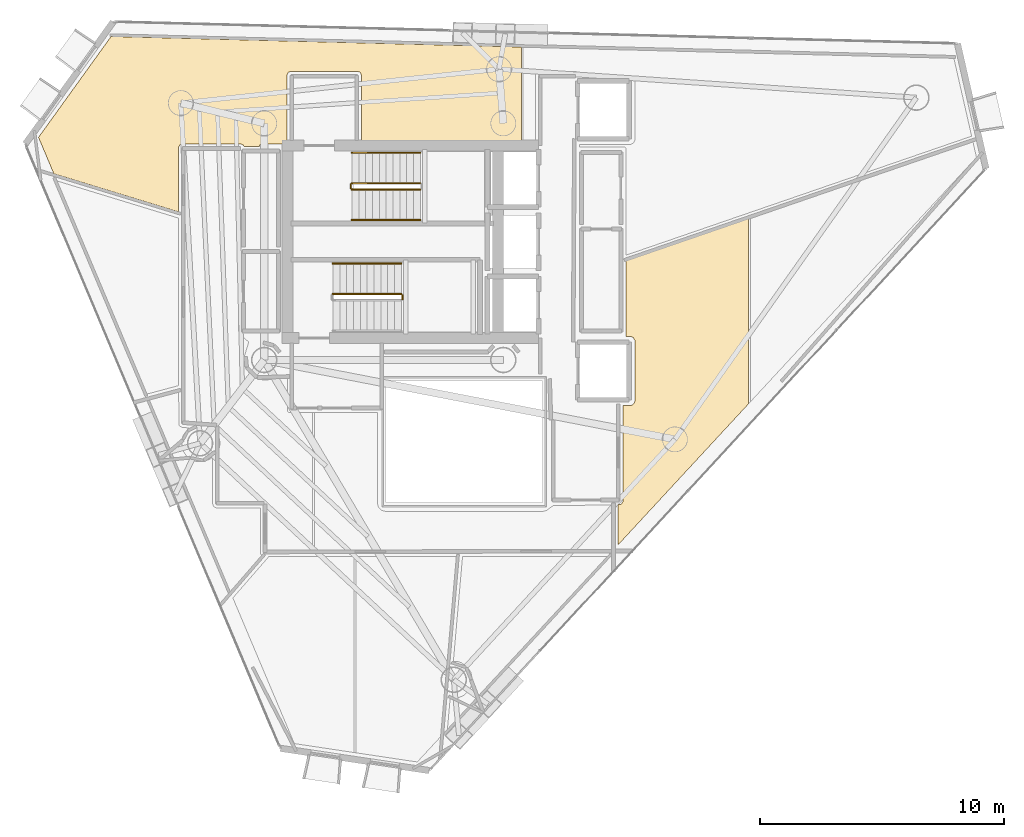
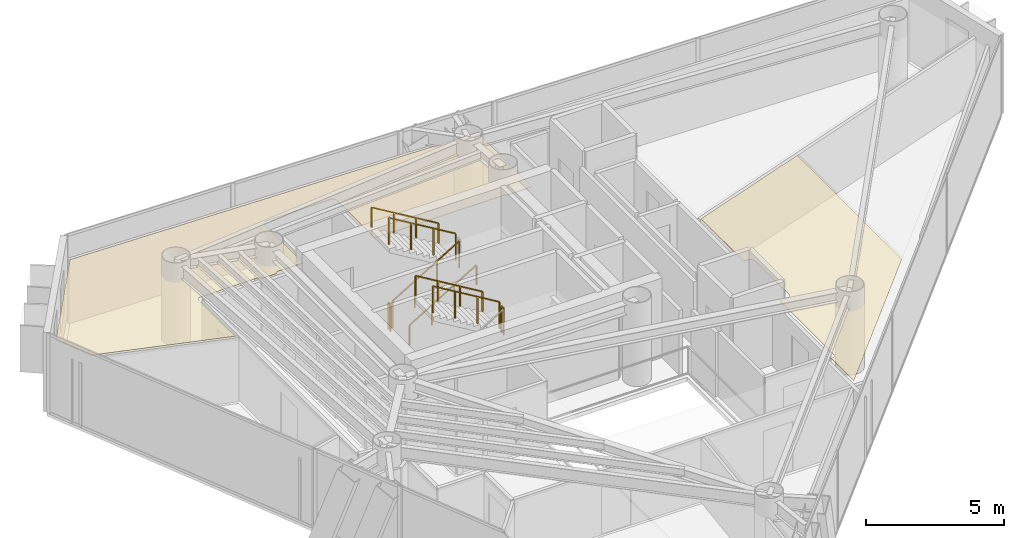
# One storey, part 19 of 21: 8 railings, 2 coverings.
"""IFC4 building model written with IfcOpenShell, lengths in metres."""

from ifc_helpers import new_model, si_unit, direction, frame, origin, origin_2d, place, context, subcontext, project, spatial, polyline, rectangle, outline, extrude, material, layer, layer_set, type_object, element, save


model = new_model("IFC4")

# Units and contexts
model_context = context("Model", 3, precision=1e-05, world=origin(), true_north=direction((0.0, 1.0)))
body_context = subcontext(model_context, "Body", "Model", "MODEL_VIEW")
ifc_project = project(units=[si_unit("LENGTHUNIT", "METRE"), si_unit("AREAUNIT", "SQUARE_METRE"), si_unit("VOLUMEUNIT", "CUBIC_METRE"), si_unit("PLANEANGLEUNIT", "RADIAN"), si_unit("MASSUNIT", "GRAM", prefix="KILO")], contexts=[model_context])

# Site, building, storey
site_placement = place(None, origin())
site = spatial("IfcSite", under=ifc_project, at=site_placement, CompositionType="ELEMENT")
building_placement = place(site_placement, origin())
building = spatial("IfcBuilding", under=site, at=building_placement, Name="Qianvela Tower", CompositionType="ELEMENT")
storey_placement = place(building_placement, frame((0.0, 0.0, 246.39990234375)))
storey = spatial("IfcBuildingStorey", under=building, at=storey_placement, Name="L63", CompositionType="ELEMENT", Elevation=246.39990234375)

# Coverings
ifc_material_1 = material(Name="Perforated Mineral Acoustic Ceiling Tile")
ifc_layer = layer(ifc_material_1, 0.02490234375)
ifc_layer_set = layer_set([ifc_layer], Name="Perforated Mineral Acoustic Ceiling Tile")
covering_type = type_object("IfcCoveringType", Name="COV-CEIL-ACOUSTIC-25", PredefinedType="CEILING", material=ifc_layer_set)
covering_1_placement = place(storey_placement, frame((0.0, 0.0, 2.815185546875)))
element("IfcCovering", 1, at=covering_1_placement, inside=storey, type_object=covering_type, Name="L63 Acoustic Ceiling Bay 1 Peer Support Study Room L63-04", PredefinedType="CEILING", context=body_context, shape_type="SweptSolid", body=[
    extrude(outline(polyline([(43.1923828125, 17.9296875), (43.2001953125, 17.930419921875), (43.207763671875, 17.931884765625), (43.215087890625, 17.934326171875), (43.222412109375, 17.937255859375), (43.229248046875, 17.94091796875), (43.235595703125, 17.9453125), (43.24169921875, 17.9501953125), (43.2470703125, 17.955810546875), (43.251953125, 17.9619140625), (43.25634765625, 17.96826171875), (43.298583984375, 18.038818359375), (43.302001953125, 18.045166015625), (43.304931640625, 18.0517578125), (43.30712890625, 18.05859375), (43.30859375, 18.065673828125), (43.309814453125, 18.07275390625), (43.31005859375, 18.080078125), (43.309326171875, 21.981201171875), (43.621826171875, 21.986083984375), (43.62939453125, 21.986572265625), (43.63720703125, 21.98779296875), (43.64453125, 21.98974609375), (43.651611328125, 21.9921875), (43.658447265625, 21.99560546875), (43.6650390625, 21.99951171875), (43.732666015625, 22.044677734375), (43.739013671875, 22.04931640625), (43.744873046875, 22.0546875), (43.75, 22.060302734375), (43.754638671875, 22.066650390625), (43.7587890625, 22.073486328125), (43.76220703125, 22.08056640625), (43.793212890625, 22.15576171875), (43.7958984375, 22.1630859375), (43.7978515625, 22.170654296875), (43.798828125, 22.178466796875), (43.79931640625, 22.186279296875), (43.79736328125, 24.62744140625), (43.796875, 24.635986328125), (43.79541015625, 24.64453125), (43.793212890625, 24.65283203125), (43.7900390625, 24.660888671875), (43.785888671875, 24.66845703125), (43.7373046875, 24.749267578125), (43.732666015625, 24.75634765625), (43.727294921875, 24.762939453125), (43.72119140625, 24.768798828125), (43.71435546875, 24.77392578125), (43.70703125, 24.778564453125), (43.699462890625, 24.781982421875), (43.624267578125, 24.813232421875), (43.616943359375, 24.81591796875), (43.609375, 24.81787109375), (43.6015625, 24.81884765625), (43.59375, 24.8193359375), (43.423828125, 24.8193359375), (43.423828125, 24.8193359375), (43.426513671875, 24.826904296875), (43.428466796875, 24.83447265625), (43.4296875, 24.84228515625), (43.429931640625, 24.85009765625), (43.429931640625, 27.912841796875), (48.453857421875, 29.642578125), (48.453857421875, 22.055419921875), (43.109619140625, 16.277587890625), (43.107421875, 17.924560546875), (43.1923828125, 17.9296875)])), origin(), (0.0, 0.0, 1.0), 0.02490234375),
])
covering_2_placement = place(storey_placement, frame((0.0, 0.0, 2.815185546875)))
element("IfcCovering", 2, at=covering_2_placement, inside=storey, type_object=covering_type, Name="L63 Acoustic Ceiling Bay 1 Academic Advising Lounge L63-05", PredefinedType="CEILING", context=body_context, shape_type="SweptSolid", body=[
    extrude(outline(polyline([(28.54296875, 32.709716796875), (28.53662109375, 32.70947265625), (28.530029296875, 32.708740234375), (28.4677734375, 32.69921875), (28.460205078125, 32.697509765625), (28.452880859375, 32.6953125), (28.446044921875, 32.6923828125), (28.439208984375, 32.688720703125), (28.432861328125, 32.6845703125), (28.427001953125, 32.6796875), (28.42138671875, 32.674560546875), (28.41650390625, 32.668701171875), (28.412109375, 32.662353515625), (28.408447265625, 32.65576171875), (28.405517578125, 32.648681640625), (28.403076171875, 32.6416015625), (28.4013671875, 32.634033203125), (28.400390625, 32.62646484375), (28.39892578125, 32.609619140625), (27.7626953125, 32.607666015625), (27.759521484375, 32.6201171875), (27.757080078125, 32.62744140625), (27.754150390625, 32.634765625), (27.75048828125, 32.6416015625), (27.74609375, 32.648193359375), (27.7412109375, 32.654296875), (27.735595703125, 32.659912109375), (27.7294921875, 32.6650390625), (27.722900390625, 32.66943359375), (27.716064453125, 32.673095703125), (27.654296875, 32.702392578125), (27.647705078125, 32.705078125), (27.640869140625, 32.707275390625), (27.6337890625, 32.708740234375), (27.626708984375, 32.709716796875), (27.61962890625, 32.7099609375), (25.205078125, 32.696533203125), (25.197265625, 32.696044921875), (25.189697265625, 32.69482421875), (25.181884765625, 32.693115234375), (25.1748046875, 32.690185546875), (25.16748046875, 32.68701171875), (25.160888671875, 32.682861328125), (25.15478515625, 32.67822265625), (25.14892578125, 32.673095703125), (25.143798828125, 32.667236328125), (25.138916015625, 32.660888671875), (25.135009765625, 32.654296875), (25.099365234375, 32.587646484375), (25.09619140625, 32.58056640625), (25.093505859375, 32.5732421875), (25.091552734375, 32.565673828125), (25.09033203125, 32.557861328125), (25.090087890625, 32.550048828125), (25.090087890625, 29.921630859375), (19.977294921875, 31.48486328125), (19.347412109375, 32.9775390625), (22.3232421875, 37.11376953125), (39.13671875, 36.681396484375), (39.13671875, 32.719970703125), (38.125, 32.719970703125), (38.03369140625, 32.762451171875), (38.025634765625, 32.765625), (38.017333984375, 32.76806640625), (38.0087890625, 32.76953125), (38.0, 32.77001953125), (32.580078125, 32.77001953125), (32.580078125, 35.52001953125), (32.57958984375, 35.52783203125), (32.57861328125, 35.53564453125), (32.57666015625, 35.543212890625), (32.573974609375, 35.550537109375), (32.550537109375, 35.607177734375), (32.547119140625, 35.6142578125), (32.543212890625, 35.62109375), (32.538330078125, 35.627197265625), (32.533203125, 35.633056640625), (32.52734375, 35.638427734375), (32.52099609375, 35.64306640625), (32.514404296875, 35.647216796875), (32.507080078125, 35.650390625), (32.45068359375, 35.673828125), (32.443115234375, 35.676513671875), (32.435546875, 35.678466796875), (32.427734375, 35.6796875), (32.419921875, 35.679931640625), (29.699951171875, 35.679931640625), (29.692138671875, 35.6796875), (29.684326171875, 35.678466796875), (29.6767578125, 35.676513671875), (29.66943359375, 35.673828125), (29.61279296875, 35.650390625), (29.605712890625, 35.647216796875), (29.59912109375, 35.64306640625), (29.5927734375, 35.638427734375), (29.5869140625, 35.633056640625), (29.58154296875, 35.627197265625), (29.576904296875, 35.62109375), (29.572998046875, 35.6142578125), (29.569580078125, 35.607177734375), (29.546142578125, 35.550537109375), (29.54345703125, 35.543212890625), (29.54150390625, 35.53564453125), (29.540283203125, 35.52783203125), (29.5400390625, 35.52001953125), (29.5400390625, 32.700439453125), (28.54296875, 32.709716796875)])), origin(), (0.0, 0.0, 1.0), 0.02490234375),
])

# Railings
ifc_material_2 = material(Name="Painted Tubular Steel Q355B", Category="steel")
railing_type_1 = type_object("IfcRailingType", Name="RL-STAIR-GUARD-1200", PredefinedType="GUARDRAIL", material=ifc_material_2)
railing_1_placement = place(storey_placement, frame((32.199951171875, 30.840087890625, 0.168212890625)))
element("IfcRailing", 3, at=railing_1_placement, inside=storey, type_object=railing_type_1, Name="L63 ST-1 stair guard 1", PredefinedType="GUARDRAIL", context=body_context, shape_type="SweptSolid", body=[
    extrude(rectangle(XDim=0.050048828125, YDim=0.0400390625, at=origin_2d()), frame((0.0, 0.0, 1.179931640625), z_axis=(0.857242210791, 0.0, 0.514913383045), x_axis=(0.0, 1.0, 0.0)), (0.0, 0.0, 1.0), 3.266357421875),
    extrude(rectangle(XDim=0.050048828125, YDim=0.050048828125, at=origin_2d()), origin(), (0.0, 0.0, 1.0), 1.159912109375),
    extrude(rectangle(XDim=0.050048828125, YDim=0.050048828125, at=origin_2d()), frame((0.933349609375, 0.0, 0.560546875)), (0.0, 0.0, 1.0), 1.159912109375),
    extrude(rectangle(XDim=0.050048828125, YDim=0.050048828125, at=origin_2d()), frame((1.86669921875, 0.0, 1.121337890625)), (0.0, 0.0, 1.0), 1.159912109375),
    extrude(rectangle(XDim=0.050048828125, YDim=0.050048828125, at=origin_2d()), frame((2.800048828125, 0.0, 1.681884765625)), (0.0, 0.0, 1.0), 1.159912109375),
])
railing_2_placement = place(storey_placement, frame((35.0, 31.10009765625, 2.018310546875)))
element("IfcRailing", 4, at=railing_2_placement, inside=storey, type_object=railing_type_1, Name="L63 ST-1 stair guard 3", PredefinedType="GUARDRAIL", context=body_context, shape_type="SweptSolid", body=[
    extrude(rectangle(XDim=0.050048828125, YDim=0.0400390625, at=origin_2d()), frame((0.0, 0.0, 1.179931640625), z_axis=(-0.857242210791, 0.0, 0.514913383045), x_axis=(0.0, -1.0, 0.0)), (0.0, 0.0, 1.0), 3.266357421875),
    extrude(rectangle(XDim=0.050048828125, YDim=0.050048828125, at=origin_2d()), origin(), (0.0, 0.0, 1.0), 1.159912109375),
    extrude(rectangle(XDim=0.050048828125, YDim=0.050048828125, at=origin_2d()), frame((-0.933349609375, 0.0, 0.560546875)), (0.0, 0.0, 1.0), 1.159912109375),
    extrude(rectangle(XDim=0.050048828125, YDim=0.050048828125, at=origin_2d()), frame((-1.86669921875, 0.0, 1.121337890625)), (0.0, 0.0, 1.0), 1.159912109375),
    extrude(rectangle(XDim=0.050048828125, YDim=0.050048828125, at=origin_2d()), frame((-2.800048828125, 0.0, 1.681884765625)), (0.0, 0.0, 1.0), 1.159912109375),
])
railing_3_placement = place(storey_placement, frame((32.14990234375, 30.889892578125, 0.0)))
element("IfcRailing", 5, at=railing_3_placement, inside=storey, type_object=railing_type_1, Name="L63 ST-1 stair guard 4", PredefinedType="GUARDRAIL", context=body_context, shape_type="SweptSolid", body=[
    extrude(rectangle(XDim=0.050048828125, YDim=0.0400390625, at=origin_2d()), frame((0.0, 0.0, 1.179931640625), z_axis=(0.0, 1.0, 0.0), x_axis=(-1.0, 0.0, 0.0)), (0.0, 0.0, 1.0), 0.16015625),
    extrude(rectangle(XDim=0.050048828125, YDim=0.050048828125, at=origin_2d()), origin(), (0.0, 0.0, 1.0), 1.159912109375),
    extrude(rectangle(XDim=0.050048828125, YDim=0.050048828125, at=origin_2d()), frame((0.0, 0.16015625, 0.0)), (0.0, 0.0, 1.0), 1.159912109375),
])
railing_4_placement = place(storey_placement, frame((34.27001953125, 26.35009765625, 1.85009765625)))
element("IfcRailing", 6, at=railing_4_placement, inside=storey, type_object=railing_type_1, Name="L63 ST-2 stair guard 2", PredefinedType="GUARDRAIL", context=body_context, shape_type="SweptSolid", body=[
    extrude(rectangle(XDim=0.050048828125, YDim=0.0400390625, at=origin_2d()), frame((0.0, 0.0, 1.179931640625), z_axis=(0.0, 1.0, 0.0), x_axis=(-1.0, 0.0, 0.0)), (0.0, 0.0, 1.0), 0.159912109375),
    extrude(rectangle(XDim=0.050048828125, YDim=0.050048828125, at=origin_2d()), origin(), (0.0, 0.0, 1.0), 1.159912109375),
    extrude(rectangle(XDim=0.050048828125, YDim=0.050048828125, at=origin_2d()), frame((0.0, 0.159912109375, 0.0)), (0.0, 0.0, 1.0), 1.159912109375),
])
railing_5_placement = place(storey_placement, frame((34.219970703125, 26.56005859375, 2.018310546875)))
element("IfcRailing", 7, at=railing_5_placement, inside=storey, type_object=railing_type_1, Name="L63 ST-2 stair guard 3", PredefinedType="GUARDRAIL", context=body_context, shape_type="SweptSolid", body=[
    extrude(rectangle(XDim=0.050048828125, YDim=0.0400390625, at=origin_2d()), frame((0.0, 0.0, 1.179931640625), z_axis=(-0.857242210791, 0.0, 0.514913383045), x_axis=(0.0, -1.0, 0.0)), (0.0, 0.0, 1.0), 3.266357421875),
    extrude(rectangle(XDim=0.050048828125, YDim=0.050048828125, at=origin_2d()), origin(), (0.0, 0.0, 1.0), 1.159912109375),
    extrude(rectangle(XDim=0.050048828125, YDim=0.050048828125, at=origin_2d()), frame((-0.933349609375, 0.0, 0.560546875)), (0.0, 0.0, 1.0), 1.159912109375),
    extrude(rectangle(XDim=0.050048828125, YDim=0.050048828125, at=origin_2d()), frame((-1.86669921875, 0.0, 1.121337890625)), (0.0, 0.0, 1.0), 1.159912109375),
    extrude(rectangle(XDim=0.050048828125, YDim=0.050048828125, at=origin_2d()), frame((-2.800048828125, 0.0, 1.681884765625)), (0.0, 0.0, 1.0), 1.159912109375),
])
ifc_material_3 = material(Name="Brushed Stainless Steel 304", Category="steel")
railing_type_2 = type_object("IfcRailingType", Name="RL-STAIR-HANDRAIL-900", PredefinedType="HANDRAIL", material=ifc_material_3)
railing_6_placement = place(storey_placement, frame((32.199951171875, 29.590087890625, 0.168212890625)))
element("IfcRailing", 8, at=railing_6_placement, inside=storey, type_object=railing_type_2, Name="L63 ST-1 stair handrail 1", PredefinedType="HANDRAIL", context=body_context, shape_type="SweptSolid", body=[
    extrude(rectangle(XDim=0.050048828125, YDim=0.0400390625, at=origin_2d()), frame((0.0, 0.0, 0.8798828125), z_axis=(0.857242210791, 0.0, 0.514913383045), x_axis=(0.0, 1.0, 0.0)), (0.0, 0.0, 1.0), 3.266357421875),
    extrude(rectangle(XDim=0.050048828125, YDim=0.050048828125, at=origin_2d()), origin(), (0.0, 0.0, 1.0), 0.85986328125),
    extrude(rectangle(XDim=0.050048828125, YDim=0.050048828125, at=origin_2d()), frame((0.933349609375, 0.0, 0.560546875)), (0.0, 0.0, 1.0), 0.85986328125),
    extrude(rectangle(XDim=0.050048828125, YDim=0.050048828125, at=origin_2d()), frame((1.86669921875, 0.0, 1.121337890625)), (0.0, 0.0, 1.0), 0.85986328125),
    extrude(rectangle(XDim=0.050048828125, YDim=0.050048828125, at=origin_2d()), frame((2.800048828125, 0.0, 1.681884765625)), (0.0, 0.0, 1.0), 0.85986328125),
])
for number, where, name in (
    (9, (35.0, 32.35009765625, 2.018310546875), "L63 ST-1 stair handrail 2"),
    (10, (34.219970703125, 27.81005859375, 2.018310546875), "L63 ST-2 stair handrail 2"),
):
    element("IfcRailing", number, at=place(storey_placement, frame(where)), inside=storey, type_object=railing_type_2, Name=name, PredefinedType="HANDRAIL", context=body_context, shape_type="SweptSolid", body=[
        extrude(rectangle(XDim=0.050048828125, YDim=0.0400390625, at=origin_2d()), frame((0.0, 0.0, 0.8798828125), z_axis=(-0.857242210791, 0.0, 0.514913383045), x_axis=(0.0, -1.0, 0.0)), (0.0, 0.0, 1.0), 3.266357421875),
        extrude(rectangle(XDim=0.050048828125, YDim=0.050048828125, at=origin_2d()), origin(), (0.0, 0.0, 1.0), 0.85986328125),
        extrude(rectangle(XDim=0.050048828125, YDim=0.050048828125, at=origin_2d()), frame((-0.933349609375, 0.0, 0.560546875)), (0.0, 0.0, 1.0), 0.85986328125),
        extrude(rectangle(XDim=0.050048828125, YDim=0.050048828125, at=origin_2d()), frame((-1.86669921875, 0.0, 1.121337890625)), (0.0, 0.0, 1.0), 0.85986328125),
        extrude(rectangle(XDim=0.050048828125, YDim=0.050048828125, at=origin_2d()), frame((-2.800048828125, 0.0, 1.681884765625)), (0.0, 0.0, 1.0), 0.85986328125),
    ])

save(model, "model.ifc")
